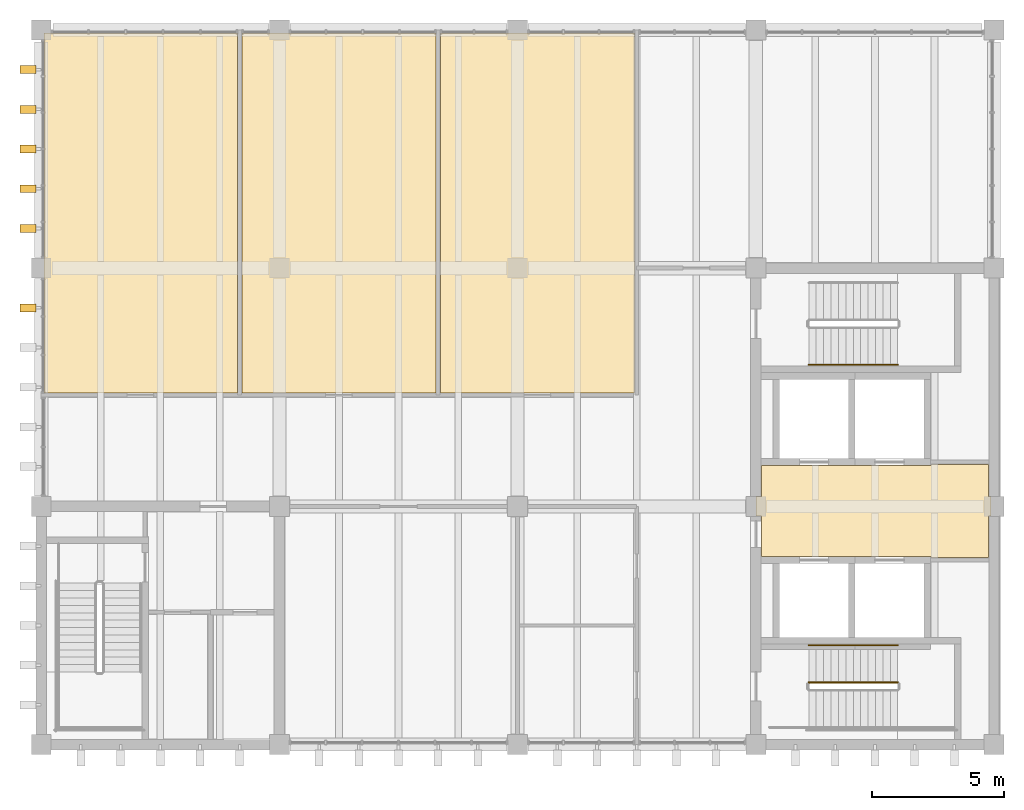
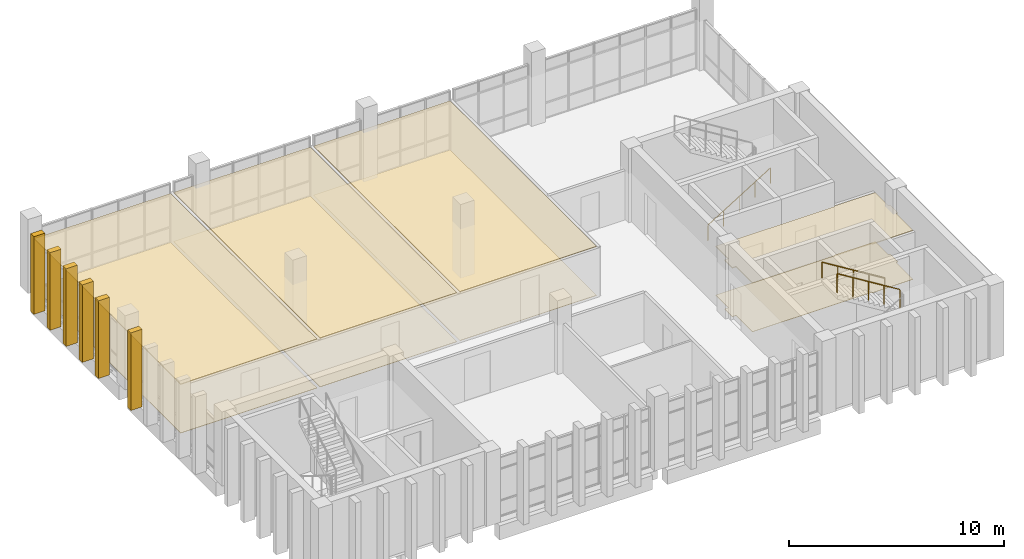
# One storey, part 13 of 14: 8 coverings, 6 shading devices, 3 railings.
"""IFC4 building model written with IfcOpenShell, lengths in metres."""

from ifc_helpers import new_model, si_unit, direction, frame, origin, origin_2d, place, context, subcontext, project, spatial, polyline, circle, outline, extrude, source, transform, mapped, material, layer, layer_set, type_object, element, save


model = new_model("IFC4")

# Units and contexts
model_context = context("Model", 3, precision=1e-05, world=origin(), true_north=direction((0.0, 1.0)))
body_context = subcontext(model_context, "Body", "Model", "MODEL_VIEW")
ifc_project = project(units=[si_unit("LENGTHUNIT", "METRE"), si_unit("AREAUNIT", "SQUARE_METRE"), si_unit("VOLUMEUNIT", "CUBIC_METRE"), si_unit("PLANEANGLEUNIT", "RADIAN"), si_unit("MASSUNIT", "GRAM", prefix="KILO")], contexts=[model_context])

# Site, building, storey
site_placement = place(None, origin())
site = spatial("IfcSite", under=ifc_project, at=site_placement, CompositionType="ELEMENT")
building_placement = place(site_placement, origin())
building = spatial("IfcBuilding", under=site, at=building_placement, Name="Merrow Basin Faculty of Sciences", CompositionType="ELEMENT")
storey_placement = place(building_placement, frame((0.0, 0.0, 27.0)))
storey = spatial("IfcBuildingStorey", under=building, at=storey_placement, Name="L06", CompositionType="ELEMENT", Elevation=27.0)

# Coverings
ifc_material_1 = material(Name="Carpet tile floor")
ifc_layer_1 = layer(ifc_material_1, 0.02001953125)
ifc_layer_set_1 = layer_set([ifc_layer_1], Name="Carpet tile floor")
covering_type_1 = type_object("IfcCoveringType", Name="Carpet tile floor", PredefinedType="FLOORING", material=ifc_layer_set_1)
covering_1_placement = place(storey_placement, origin())
element("IfcCovering", 1, at=covering_1_placement, inside=storey, type_object=covering_type_1, Name="Floor finish L06-T-016", PredefinedType="FLOORING", context=body_context, shape_type="SweptSolid", body=[
    extrude(outline(polyline([(40.4150390625, 168.889892578125), (40.4150390625, 155.284912109375), (33.0849609375, 155.284912109375), (33.0849609375, 168.889892578125), (40.4150390625, 168.889892578125)])), origin(), (0.0, 0.0, 1.0), 0.02001953125),
])
ifc_material_2 = material(Name="Laboratory sheet vinyl floor")
ifc_layer_2 = layer(ifc_material_2, 0.02001953125)
ifc_layer_set_2 = layer_set([ifc_layer_2], Name="Laboratory sheet vinyl floor")
covering_type_2 = type_object("IfcCoveringType", Name="Laboratory sheet vinyl floor", PredefinedType="FLOORING", material=ifc_layer_set_2)
covering_2_placement = place(storey_placement, origin())
element("IfcCovering", 2, at=covering_2_placement, inside=storey, type_object=covering_type_2, Name="Floor finish L06-T-014", PredefinedType="FLOORING", context=body_context, shape_type="SweptSolid", body=[
    extrude(outline(polyline([(18.110107421875, 168.889892578125), (25.4150390625, 168.889892578125), (25.4150390625, 155.284912109375), (18.110107421875, 155.284912109375), (18.110107421875, 168.889892578125)])), origin(), (0.0, 0.0, 1.0), 0.02001953125),
])
covering_3_placement = place(storey_placement, origin())
element("IfcCovering", 3, at=covering_3_placement, inside=storey, type_object=covering_type_2, Name="Floor finish L06-T-015", PredefinedType="FLOORING", context=body_context, shape_type="SweptSolid", body=[
    extrude(outline(polyline([(32.9150390625, 168.889892578125), (32.9150390625, 155.284912109375), (25.5849609375, 155.284912109375), (25.5849609375, 168.889892578125), (32.9150390625, 168.889892578125)])), origin(), (0.0, 0.0, 1.0), 0.02001953125),
])
ifc_material_3 = material(Name="Polished terrazzo floor")
ifc_layer_3 = layer(ifc_material_3, 0.02001953125)
ifc_layer_set_3 = layer_set([ifc_layer_3], Name="Polished terrazzo floor")
covering_type_3 = type_object("IfcCoveringType", Name="Polished terrazzo floor", PredefinedType="FLOORING", material=ifc_layer_set_3)
covering_4_placement = place(storey_placement, origin())
element("IfcCovering", 4, at=covering_4_placement, inside=storey, type_object=covering_type_3, Name="Floor finish L06-T-007", PredefinedType="FLOORING", context=body_context, shape_type="SweptSolid", body=[
    extrude(outline(polyline([(45.010009765625, 151.364990234375), (45.2099609375, 151.364990234375), (45.2099609375, 152.5400390625), (51.610107421875, 152.5400390625), (51.610107421875, 152.590087890625), (53.7900390625, 152.590087890625), (53.7900390625, 151.364990234375), (53.889892578125, 151.364990234375), (53.889892578125, 150.635009765625), (53.7900390625, 150.635009765625), (53.7900390625, 149.06005859375), (51.610107421875, 149.06005859375), (51.610107421875, 149.110107421875), (45.2099609375, 149.110107421875), (45.2099609375, 150.635009765625), (45.010009765625, 150.635009765625), (45.010009765625, 151.364990234375)])), origin(), (0.0, 0.0, 1.0), 0.02001953125),
])

# Railings
ifc_material_4 = material(Name="Steel ASTM A36", Category="steel")
railing_type_1 = type_object("IfcRailingType", Name="Steel guard 1100", PredefinedType="GUARDRAIL", material=ifc_material_4)
railing_1_placement = place(storey_placement, frame((50.360107421875, 144.35009765625, 2.423095703125)))
element("IfcRailing", 5, at=railing_1_placement, inside=storey, type_object=railing_type_1, Name="L06 ST-V5-N stair guard 4", PredefinedType="GUARDRAIL", context=body_context, shape_type="SweptSolid", body=[
    extrude(circle(Radius=0.02392578125, at=origin_2d()), frame((0.0, 0.0, 1.076171875), z_axis=(-0.850623216509, 0.0, 0.525775754039), x_axis=(0.0, -1.0, 0.0)), (0.0, 0.0, 1.0), 3.9501953125),
    extrude(circle(Radius=0.02099609375, at=origin_2d()), origin(), (0.0, 0.0, 1.0), 1.052001953125),
    extrude(circle(Radius=0.02099609375, at=origin_2d()), frame((-0.840087890625, 0.0, 0.519287109375)), (0.0, 0.0, 1.0), 1.052001953125),
    extrude(circle(Radius=0.02099609375, at=origin_2d()), frame((-1.68017578125, 0.0, 1.03857421875)), (0.0, 0.0, 1.0), 1.052001953125),
    extrude(circle(Radius=0.02099609375, at=origin_2d()), frame((-2.52001953125, 0.0, 1.5576171875)), (0.0, 0.0, 1.0), 1.052001953125),
    extrude(circle(Radius=0.02099609375, at=origin_2d()), frame((-3.360107421875, 0.0, 2.076904296875)), (0.0, 0.0, 1.0), 1.052001953125),
])
ifc_material_5 = material(Name="Steel ASTM A36", Category="steel")
railing_type_2 = type_object("IfcRailingType", Name="Steel handrail 900", PredefinedType="HANDRAIL", material=ifc_material_5)
railing_2_placement = place(storey_placement, frame((47.0, 156.35009765625, 0.173095703125)))
element("IfcRailing", 6, at=railing_2_placement, inside=storey, type_object=railing_type_2, Name="L06 ST-V5-S stair handrail 1", PredefinedType="HANDRAIL", context=body_context, shape_type="SweptSolid", body=[
    extrude(circle(Radius=0.02392578125, at=origin_2d()), frame((0.0, 0.0, 0.8759765625), z_axis=(0.850623216509, 0.0, 0.525775754039), x_axis=(0.0, 1.0, 0.0)), (0.0, 0.0, 1.0), 3.9501953125),
    extrude(circle(Radius=0.02099609375, at=origin_2d()), origin(), (0.0, 0.0, 1.0), 0.851806640625),
    extrude(circle(Radius=0.02099609375, at=origin_2d()), frame((0.840087890625, 0.0, 0.519287109375)), (0.0, 0.0, 1.0), 0.851806640625),
    extrude(circle(Radius=0.02099609375, at=origin_2d()), frame((1.68017578125, 0.0, 1.03857421875)), (0.0, 0.0, 1.0), 0.851806640625),
    extrude(circle(Radius=0.02099609375, at=origin_2d()), frame((2.52001953125, 0.0, 1.5576171875)), (0.0, 0.0, 1.0), 0.851806640625),
    extrude(circle(Radius=0.02099609375, at=origin_2d()), frame((3.360107421875, 0.0, 2.076904296875)), (0.0, 0.0, 1.0), 0.851806640625),
])
railing_3_placement = place(storey_placement, frame((50.360107421875, 145.75, 2.423095703125)))
element("IfcRailing", 7, at=railing_3_placement, inside=storey, type_object=railing_type_2, Name="L06 ST-V5-N stair handrail 2", PredefinedType="HANDRAIL", context=body_context, shape_type="SweptSolid", body=[
    extrude(circle(Radius=0.02392578125, at=origin_2d()), frame((0.0, 0.0, 0.8759765625), z_axis=(-0.850623216509, 0.0, 0.525775754039), x_axis=(0.0, -1.0, 0.0)), (0.0, 0.0, 1.0), 3.9501953125),
    extrude(circle(Radius=0.02099609375, at=origin_2d()), origin(), (0.0, 0.0, 1.0), 0.851806640625),
    extrude(circle(Radius=0.02099609375, at=origin_2d()), frame((-0.840087890625, 0.0, 0.519287109375)), (0.0, 0.0, 1.0), 0.851806640625),
    extrude(circle(Radius=0.02099609375, at=origin_2d()), frame((-1.68017578125, 0.0, 1.03857421875)), (0.0, 0.0, 1.0), 0.851806640625),
    extrude(circle(Radius=0.02099609375, at=origin_2d()), frame((-2.52001953125, 0.0, 1.5576171875)), (0.0, 0.0, 1.0), 0.851806640625),
    extrude(circle(Radius=0.02099609375, at=origin_2d()), frame((-3.360107421875, 0.0, 2.076904296875)), (0.0, 0.0, 1.0), 0.851806640625),
])

# Coverings
ifc_material_6 = material(Name="Mineral fibre ceiling tile")
ifc_layer_4 = layer(ifc_material_6, 0.050048828125)
ifc_layer_set_4 = layer_set([ifc_layer_4], Name="Suspended acoustic ceiling tile")
covering_type_4 = type_object("IfcCoveringType", Name="Suspended acoustic ceiling tile", PredefinedType="CEILING", material=ifc_layer_set_4)
covering_5_placement = place(storey_placement, frame((0.0, 0.0, 2.75)))
element("IfcCovering", 8, at=covering_5_placement, inside=storey, type_object=covering_type_4, Name="Ceiling L06-T-007", PredefinedType="CEILING", context=body_context, shape_type="SweptSolid", body=[
    extrude(outline(polyline([(45.010009765625, 151.364990234375), (45.2099609375, 151.364990234375), (45.2099609375, 152.5400390625), (51.610107421875, 152.5400390625), (51.610107421875, 152.590087890625), (53.7900390625, 152.590087890625), (53.7900390625, 151.364990234375), (53.889892578125, 151.364990234375), (53.889892578125, 150.635009765625), (53.7900390625, 150.635009765625), (53.7900390625, 149.06005859375), (51.610107421875, 149.06005859375), (51.610107421875, 149.110107421875), (45.2099609375, 149.110107421875), (45.2099609375, 150.635009765625), (45.010009765625, 150.635009765625), (45.010009765625, 151.364990234375)])), origin(), (0.0, 0.0, 1.0), 0.050048828125),
])
covering_6_placement = place(storey_placement, frame((0.0, 0.0, 2.75)))
element("IfcCovering", 9, at=covering_6_placement, inside=storey, type_object=covering_type_4, Name="Ceiling L06-T-014", PredefinedType="CEILING", context=body_context, shape_type="SweptSolid", body=[
    extrude(outline(polyline([(18.110107421875, 168.889892578125), (25.4150390625, 168.889892578125), (25.4150390625, 155.284912109375), (18.110107421875, 155.284912109375), (18.110107421875, 168.889892578125)])), origin(), (0.0, 0.0, 1.0), 0.050048828125),
])
covering_7_placement = place(storey_placement, frame((0.0, 0.0, 2.75)))
element("IfcCovering", 10, at=covering_7_placement, inside=storey, type_object=covering_type_4, Name="Ceiling L06-T-015", PredefinedType="CEILING", context=body_context, shape_type="SweptSolid", body=[
    extrude(outline(polyline([(32.9150390625, 168.889892578125), (32.9150390625, 155.284912109375), (25.5849609375, 155.284912109375), (25.5849609375, 168.889892578125), (32.9150390625, 168.889892578125)])), origin(), (0.0, 0.0, 1.0), 0.050048828125),
])
covering_8_placement = place(storey_placement, frame((0.0, 0.0, 2.75)))
element("IfcCovering", 11, at=covering_8_placement, inside=storey, type_object=covering_type_4, Name="Ceiling L06-T-016", PredefinedType="CEILING", context=body_context, shape_type="SweptSolid", body=[
    extrude(outline(polyline([(40.4150390625, 168.889892578125), (40.4150390625, 155.284912109375), (33.0849609375, 155.284912109375), (33.0849609375, 168.889892578125), (40.4150390625, 168.889892578125)])), origin(), (0.0, 0.0, 1.0), 0.050048828125),
])

# Shading devices
ifc_material_7 = material(Name="White precast concrete C50/60", Category="concrete")
shading_device_type = type_object("IfcShadingDeviceType", Name="White precast fin 300 x 600", PredefinedType="USERDEFINED", material=ifc_material_7)
shared_shape = source(origin(), body_context, "Body", "SweptSolid", [
    extrude(outline(polyline([(0.0, 0.0), (0.300048828125, 0.0), (0.300048828125, 4.39990234375), (0.0, 4.39990234375), (0.0, 0.0)])), origin(), (0.0, 0.0, 1.0), 0.60009765625),
])
for number, where, z_axis, x_axis, name in (
    (12, (17.800048828125, 158.64990234375, -0.25), (-1.0, 0.0, 0.0), (0.0, -1.0, 0.0), "Brise-soleil fin WL06"),
    (13, (17.800048828125, 161.64990234375, -0.25), (-1.0, 0.0, 0.0), (0.0, -1.0, 0.0), "Brise-soleil fin WL06"),
    (14, (17.800048828125, 163.14990234375, -0.25), (-1.0, 0.0, 0.0), (0.0, -1.0, 0.0), "Brise-soleil fin WL06"),
    (15, (17.800048828125, 164.64990234375, -0.25), (-1.0, 0.0, 0.0), (0.0, -1.0, 0.0), "Brise-soleil fin WL06"),
    (16, (17.800048828125, 166.14990234375, -0.25), (-1.0, 0.0, 0.0), (0.0, -1.0, 0.0), "Brise-soleil fin WL06"),
    (17, (17.800048828125, 167.64990234375, -0.25), (-1.0, 0.0, 0.0), (0.0, -1.0, 0.0), "Brise-soleil fin WL06"),
):
    element("IfcShadingDevice", number, at=place(storey_placement, frame(where, z_axis=z_axis, x_axis=x_axis)), inside=storey, type_object=shading_device_type, Name=name, ObjectType="FIN", PredefinedType="USERDEFINED", context=body_context, shape_type="MappedRepresentation", body=[
        mapped(shared_shape, transform((0.0, 0.0, 0.0), scale=1.0)),
    ])

save(model, "model.ifc")
